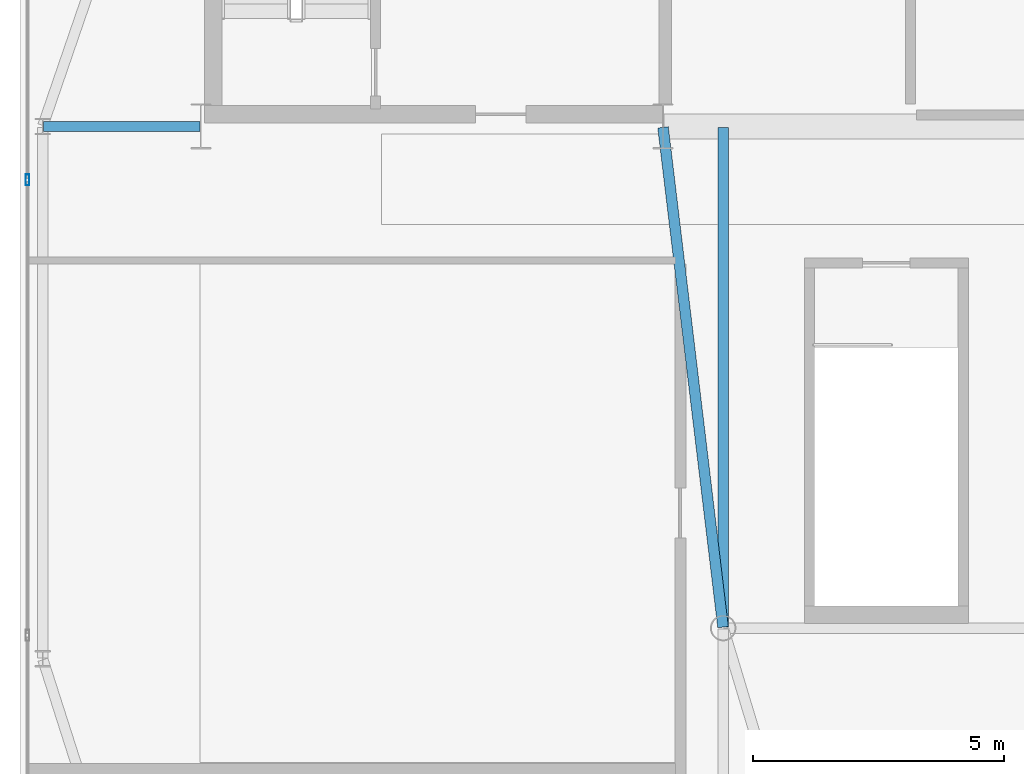
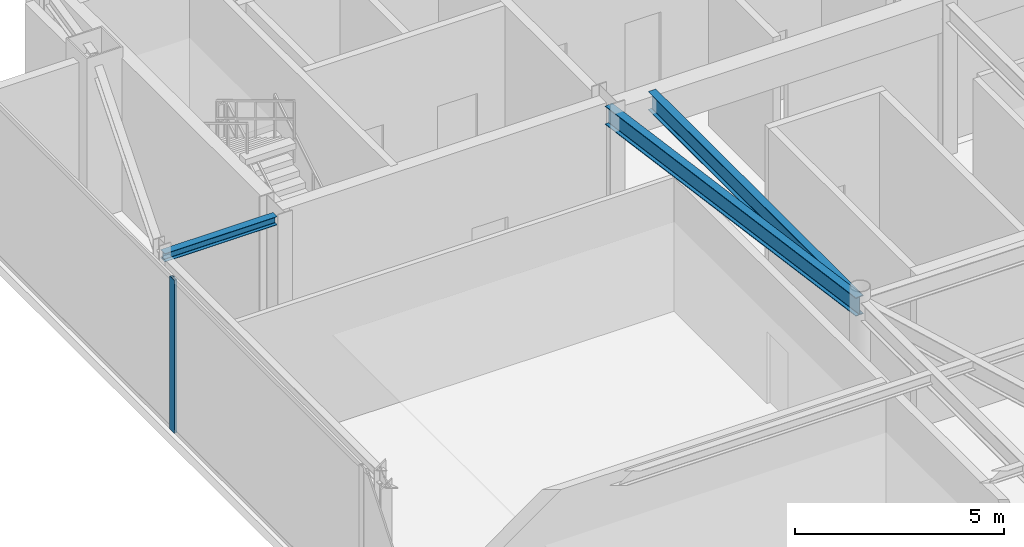
# One storey, part 10 of 20: 3 beams, 1 member, 1 element without a shape of its own.
"""IFC4 building model written with IfcOpenShell, lengths in metres."""

from ifc_helpers import new_model, si_unit, direction, frame, origin, origin_2d, place, context, subcontext, project, spatial, hollow_rectangle, i_section, extrude, source, transform, mapped, material, layer, layer_set, material_profile, profile_set, type_object, type_shapes, element, aggregate, save


model = new_model("IFC4")

# Units and contexts
model_context = context("Model", 3, precision=1e-05, world=origin(), true_north=direction((0.0, 1.0)))
body_context = subcontext(model_context, "Body", "Model", "MODEL_VIEW")
ifc_project = project(units=[si_unit("LENGTHUNIT", "METRE"), si_unit("AREAUNIT", "SQUARE_METRE"), si_unit("VOLUMEUNIT", "CUBIC_METRE"), si_unit("PLANEANGLEUNIT", "RADIAN"), si_unit("MASSUNIT", "GRAM", prefix="KILO")], contexts=[model_context])

# Site, building, storey
site_placement = place(None, origin())
site = spatial("IfcSite", under=ifc_project, at=site_placement, CompositionType="ELEMENT")
building_placement = place(site_placement, origin())
building = spatial("IfcBuilding", under=site, at=building_placement, Name="Varnel Quay Broadcast Tower", CompositionType="ELEMENT")
storey_placement = place(building_placement, frame((0.0, 0.0, 309.800048828125)))
storey = spatial("IfcBuildingStorey", under=building, at=storey_placement, Name="L77", CompositionType="ELEMENT", Elevation=309.800048828125)

# Beams
ifc_material_1 = material(Name="Structural Steel CSA G40.21 350W", Category="steel")
ifc_material_profile_1 = material_profile(ifc_material_1, i_section(OverallWidth=0.2119140625, OverallDepth=0.5439453125, WebThickness=0.01318359375, FlangeThickness=0.021240234375, FilletRadius=0.013916015625, at=origin_2d()), Name="W530X123")
ifc_profile_set_1 = profile_set([ifc_material_profile_1], Name="Structural Steel CSA G40.21 350W")
beam_type_1 = type_object("IfcBeamType", Name="Girder_W530X123", PredefinedType="BEAM", material=ifc_profile_set_1)
shared_shape_1 = source(origin(), body_context, "Body", "SweptSolid", [
    extrude(i_section(OverallWidth=0.2119140625, OverallDepth=0.5439453125, WebThickness=0.01318359375, FlangeThickness=0.021240234375, FilletRadius=0.013916015625, at=origin_2d()), origin(), (0.0, 0.0, 1.0), 10.021728515625),
])
beam_1_placement = place(storey_placement, frame((25.99755859375, 25.6298828125, 4.2080078125), z_axis=(-0.119248005741, 0.992864498875, 0.0), x_axis=(-0.992864498875, -0.119248005741, 0.0)))
element("IfcBeam", 1, at=beam_1_placement, inside=storey, type_object=beam_type_1, Name="L77 Primary Girder IC-01-CC-S2", PredefinedType="BEAM", context=body_context, shape_type="MappedRepresentation", body=[
    mapped(shared_shape_1, transform((0.0, 0.0, 0.0), x_axis=(1.0, 0.0, 0.0), y_axis=(0.0, 1.0, 0.0), z_axis=(0.0, 0.0, 1.0), scale=1.0)),
])
shared_shape_2 = source(origin(), body_context, "Body", "SweptSolid", [
    extrude(i_section(OverallWidth=0.2119140625, OverallDepth=0.5439453125, WebThickness=0.01318359375, FlangeThickness=0.021240234375, FilletRadius=0.013916015625, at=origin_2d()), origin(), (0.0, 0.0, 1.0), 9.9501953125),
])
type_shapes(beam_type_1, [shared_shape_1, shared_shape_2])
beam_2_placement = place(storey_placement, frame((26.0, 25.6298828125, 4.2080078125), z_axis=(0.0, 1.0, 0.0), x_axis=(-1.0, 0.0, 0.0)))
element("IfcBeam", 2, at=beam_2_placement, inside=storey, type_object=beam_type_1, Name="L77 N-S Joist Header IC-01N", PredefinedType="BEAM", context=body_context, shape_type="MappedRepresentation", body=[
    mapped(shared_shape_2, transform((0.0, 0.0, 0.0), x_axis=(1.0, 0.0, 0.0), y_axis=(0.0, 1.0, 0.0), z_axis=(0.0, 0.0, 1.0), scale=1.0)),
])
ifc_material_profile_2 = material_profile(ifc_material_1, i_section(OverallWidth=0.201904296875, OverallDepth=0.2470703125, WebThickness=0.00732421875, FlangeThickness=0.010986328125, FilletRadius=0.010986328125, at=origin_2d()), Name="W250X49")
ifc_profile_set_2 = profile_set([ifc_material_profile_2], Name="Structural Steel CSA G40.21 350W")
beam_type_2 = type_object("IfcBeamType", Name="Beam_W250X49", PredefinedType="JOIST", material=ifc_profile_set_2)
shared_shape_3 = source(origin(), body_context, "Body", "SweptSolid", [
    extrude(i_section(OverallWidth=0.201904296875, OverallDepth=0.2470703125, WebThickness=0.00732421875, FlangeThickness=0.010986328125, FilletRadius=0.010986328125, at=origin_2d()), origin(), (0.0, 0.0, 1.0), 3.110107421875),
])
type_shapes(beam_type_2, [shared_shape_3])
beam_3_placement = place(storey_placement, frame((12.469970703125, 35.60009765625, 4.3564453125), z_axis=(1.0, 0.0, 0.0), x_axis=(0.0, 1.0, 0.0)))
element("IfcBeam", 3, at=beam_3_placement, inside=storey, type_object=beam_type_2, Name="L77 West Core Tie Joist", PredefinedType="JOIST", context=body_context, shape_type="MappedRepresentation", body=[
    mapped(shared_shape_3, transform((0.0, 0.0, 0.0), x_axis=(1.0, 0.0, 0.0), y_axis=(0.0, 1.0, 0.0), z_axis=(0.0, 0.0, 1.0), scale=1.0)),
])

# Curtain wall, member
ifc_material_2 = material(Name="Anodised Bronze Aluminium 6063-T6", Category="aluminium")
ifc_layer = layer(ifc_material_2, 0.18994140625, Name="Anodised Bronze Aluminium 6063-T6")
ifc_layer_set = layer_set([ifc_layer], Name="Anodised Bronze Aluminium 6063-T6")
curtain_wall_type = type_object("IfcCurtainWallType", Name="CW_SkyObsHighVis", PredefinedType="NOTDEFINED", material=ifc_layer_set)
curtain_wall_placement = place(storey_placement, origin())
curtain_wall = element("IfcCurtainWall", 4, at=curtain_wall_placement, inside=storey, type_object=curtain_wall_type, Name="L77 West Unitised Curtain Wall", PredefinedType="NOTDEFINED")
ifc_material_profile_3 = material_profile(ifc_material_2, hollow_rectangle(XDim=0.074951171875, YDim=0.219970703125, WallThickness=0.00390625, at=origin_2d()), Name="ALU75X220X4")
ifc_profile_set_3 = profile_set([ifc_material_profile_3], Name="Anodised Bronze Aluminium 6063-T6")
member_type = type_object("IfcMemberType", Name="Mull_CWS-05", PredefinedType="MULLION", material=ifc_profile_set_3)
shared_shape_4 = source(origin(), body_context, "Body", "SweptSolid", [
    extrude(hollow_rectangle(XDim=0.074951171875, YDim=0.219970703125, WallThickness=0.00390625, at=origin_2d()), origin(), (0.0, 0.0, 1.0), 4.47998046875),
])
type_shapes(member_type, [shared_shape_4])
member_placement = place(storey_placement, frame((12.14990234375, 34.533447265625, 0.0), z_axis=(0.0, 0.0, 1.0), x_axis=(-1.0, 0.0, 0.0)))
member = element("IfcMember", 5, at=member_placement, type_object=member_type, Name="CWS-05 mullion 3", PredefinedType="MULLION", context=body_context, shape_type="MappedRepresentation", body=[
    mapped(shared_shape_4, transform((0.0, 0.0, 0.0), x_axis=(1.0, 0.0, 0.0), y_axis=(0.0, 1.0, 0.0), z_axis=(0.0, 0.0, 1.0), scale=1.0)),
])
aggregate(curtain_wall, [member])

save(model, "model.ifc")
